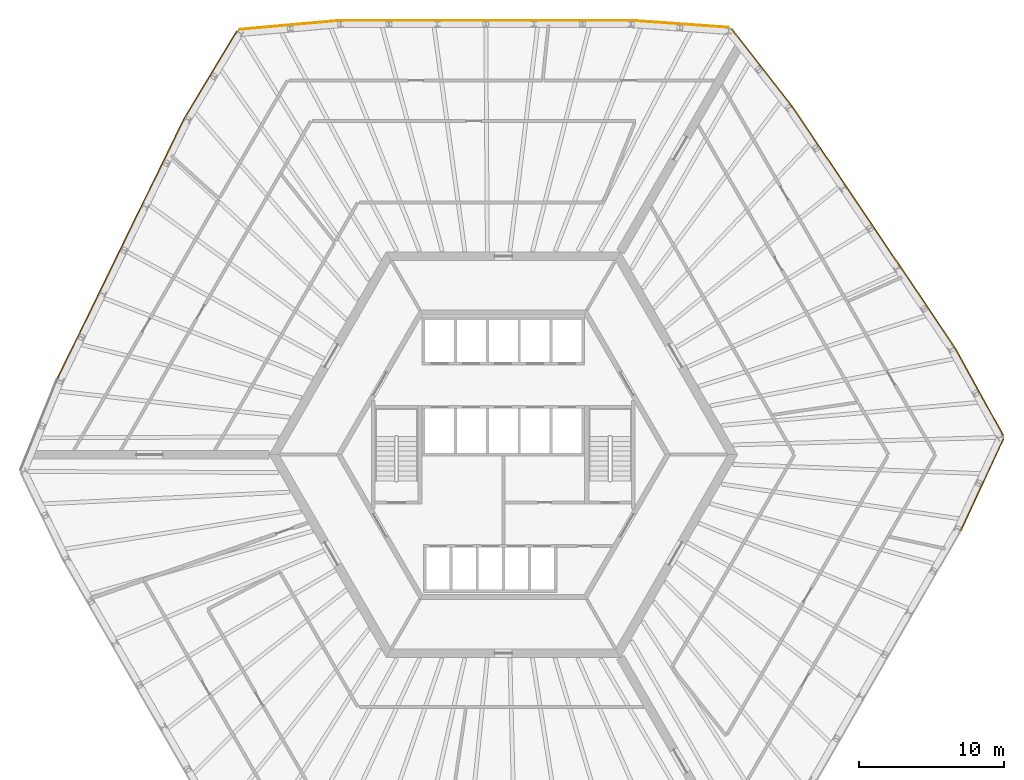
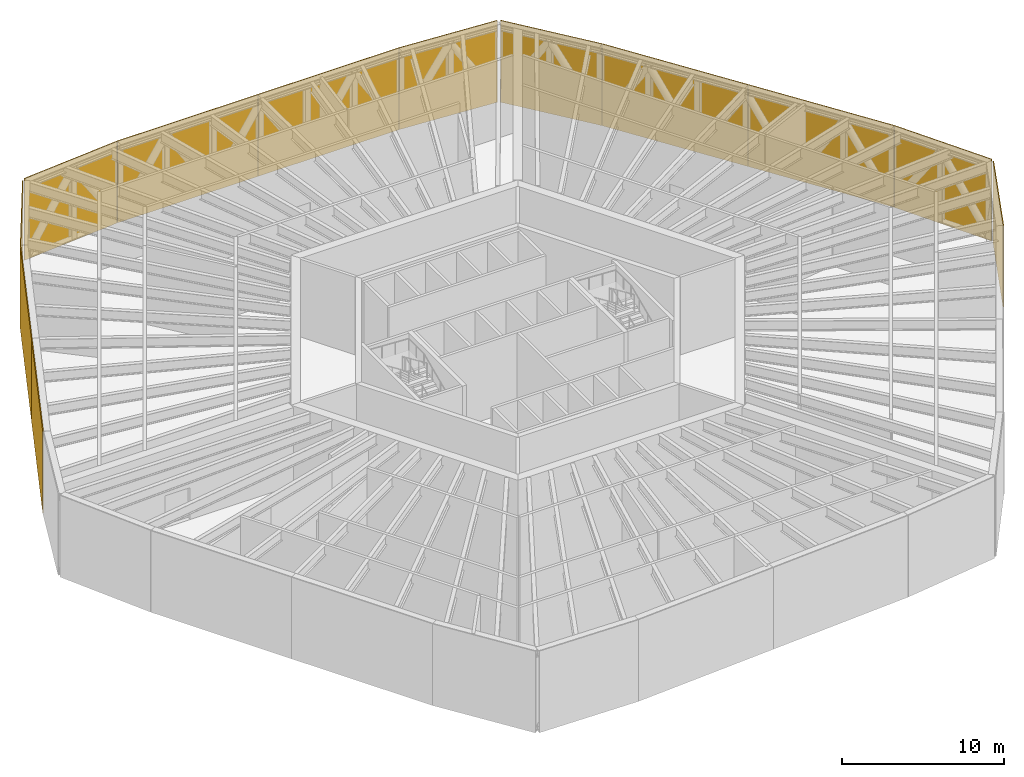
# One storey, part 11 of 11: 12 shading devices.
"""IFC4 building model written with IfcOpenShell, lengths in metres."""

import ifcopenshell
import ifcopenshell.guid

model = None  # the IFC model being written
_history = None  # IfcOwnerHistory: only IFC2X3 demands one
_inside = {}  # id of a spatial element -> (the spatial element, [elements in it])
_under = {}  # id of a project, library or spatial element -> (it, [spatial elements below it])
_declared = {}  # id of a project -> (the project, [libraries it declares])
_typed = {}  # id of a type object -> (the type object, [elements of that type])
_made_of = {}  # id of a material, layer set ... -> (it, [elements and type objects made of it])


def new_model(schema):
    """Start an empty IFC model of exactly this schema.

    Asked for "IFC4X3", IfcOpenShell would pick the latest addendum, in which some entities
    have other attributes; the version numbers below select the first issue.
    IFC2X3 requires an IfcOwnerHistory on every rooted entity: one is made here for all.
    """
    global model, _history
    if schema == "IFC4X3":
        model = ifcopenshell.file(schema_version=(4, 3, 0, 0))
    else:
        model = ifcopenshell.file(schema=schema)
    _inside.clear()
    _under.clear()
    _declared.clear()
    _typed.clear()
    _made_of.clear()
    _history = None
    if model.schema == "IFC2X3":
        org = make("IfcOrganization", Name="unknown")
        user = make(
            "IfcPersonAndOrganization",
            ThePerson=make("IfcPerson", FamilyName="unknown"),
            TheOrganization=org,
        )
        app = make(
            "IfcApplication",
            ApplicationDeveloper=org,
            Version="unknown",
            ApplicationFullName="unknown",
            ApplicationIdentifier="unknown",
        )
        _history = make(
            "IfcOwnerHistory",
            OwningUser=user,
            OwningApplication=app,
            ChangeAction="ADDED",
            CreationDate=0,
        )
    return model


def make(cls, **values):
    """One entity of the class cls with the attributes given. An attribute that is None is left unset."""
    return model.create_entity(
        cls, **{name: value for name, value in values.items() if value is not None}
    )


def rooted(cls, **values):
    """An entity with a GlobalId (a new one), such as an element, a storey or a relation."""
    return make(cls, GlobalId=ifcopenshell.guid.new(), OwnerHistory=_history, **values)


def si_unit(unit_type, name, prefix=None):
    """IfcSIUnit, for example si_unit("LENGTHUNIT", "METRE", prefix="MILLI")."""
    return make("IfcSIUnit", UnitType=unit_type, Prefix=prefix, Name=name)


def assignment(units):
    """IfcUnitAssignment: the units of a project."""
    return None if units is None else make("IfcUnitAssignment", Units=units)


def point(xyz):
    """IfcCartesianPoint."""
    return None if xyz is None else make("IfcCartesianPoint", Coordinates=xyz)


def direction(xyz):
    """IfcDirection."""
    return None if xyz is None else make("IfcDirection", DirectionRatios=xyz)


def frame(location, z_axis=None, x_axis=None):
    """IfcAxis2Placement3D, a coordinate frame: its origin and axes. An axis left out is left unset."""
    return make(
        "IfcAxis2Placement3D",
        Location=point(location),
        Axis=direction(z_axis),
        RefDirection=direction(x_axis),
    )


def origin():
    """The frame at (0, 0, 0) with its axes left unset."""
    return frame((0.0, 0.0, 0.0))


def place(relative_to, where):
    """IfcLocalPlacement: puts the frame where relative to a parent placement (None: the world)."""
    return make(
        "IfcLocalPlacement", PlacementRelTo=relative_to, RelativePlacement=where
    )


def context(
    kind, dimensions, precision=None, world=None, true_north=None, identifier=None
):
    """IfcGeometricRepresentationContext, for example the 3D "Model" context."""
    return make(
        "IfcGeometricRepresentationContext",
        ContextIdentifier=identifier,
        ContextType=kind,
        CoordinateSpaceDimension=dimensions,
        Precision=precision,
        WorldCoordinateSystem=world,
        TrueNorth=true_north,
    )


def subcontext(parent, identifier, kind, view, scale=None):
    """IfcGeometricRepresentationSubContext, for example "Body" below "Model"."""
    return make(
        "IfcGeometricRepresentationSubContext",
        ContextIdentifier=identifier,
        ContextType=kind,
        ParentContext=parent,
        TargetScale=scale,
        TargetView=view,
    )


def project(units=None, contexts=None):
    """IfcProject with its units and contexts."""
    return rooted(
        "IfcProject",
        Name="project",
        RepresentationContexts=contexts,
        UnitsInContext=assignment(units),
    )


def spatial(cls, under=None, at=None, **own):
    """A site, building, storey or space (cls), placed at a placement, below another one or the project."""
    s = rooted(cls, ObjectPlacement=at, **own)
    if under is not None:
        _under.setdefault(under.id(), (under, []))[1].append(s)
    return s


def polyline(points):
    """IfcPolyline through the points."""
    return make("IfcPolyline", Points=[point(p) for p in points])


def outline(outer, holes=None, kind="AREA"):
    """IfcArbitraryClosedProfileDef: a profile drawn as a closed curve; with holes, ...WithVoids."""
    if holes is None:
        return make("IfcArbitraryClosedProfileDef", ProfileType=kind, OuterCurve=outer)
    return make(
        "IfcArbitraryProfileDefWithVoids",
        ProfileType=kind,
        OuterCurve=outer,
        InnerCurves=holes,
    )


def extrude(swept, where, along, depth):
    """IfcExtrudedAreaSolid: the profile swept, set in the frame where, extruded along a direction by depth."""
    return make(
        "IfcExtrudedAreaSolid",
        SweptArea=swept,
        Position=where,
        ExtrudedDirection=direction(along),
        Depth=depth,
    )


def shape(context_of_items, identifier, shape_type, items):
    """IfcShapeRepresentation: the items that make up one representation, for example the "Body"."""
    return make(
        "IfcShapeRepresentation",
        ContextOfItems=context_of_items,
        RepresentationIdentifier=identifier,
        RepresentationType=shape_type,
        Items=items,
    )


def material(Name=None, Category=None):
    """IfcMaterial."""
    return make("IfcMaterial", Name=Name, Category=Category)


def made_of(thing, what):
    """Note that an element or type object is made of a material, layer set ...; save() writes the relation."""
    if what is not None:
        _made_of.setdefault(what.id(), (what, []))[1].append(thing)
    return thing


def type_object(cls, material=None, **own):
    """A type object (cls), such as IfcWallType, which elements share."""
    return made_of(rooted(cls, **own), material)


def element(
    cls,
    number,
    at=None,
    inside=None,
    cuts=None,
    type_object=None,
    material=None,
    context=None,
    identifier="Body",
    shape_type=None,
    held_by="IfcProductDefinitionShape",
    body=None,
    shapes=None,
    **own,
):
    """One element of the class cls, such as IfcWall. Its Tag is "e" and its number.

    at: its placement. inside: the storey or other place that contains it. cuts: it is an
    opening in that element (IfcRelVoidsElement). A single representation is given by context,
    identifier, shape_type and body (its items); several are given by shapes. held_by: the class
    of the entity that holds the representations. save() writes the other relations.
    """
    e = rooted(cls, Tag="e%d" % number, ObjectPlacement=at, **own)
    if body is not None:
        shapes = [shape(context, identifier, shape_type, body)]
    if shapes is not None:
        e.Representation = make(held_by, Representations=shapes)
    if inside is not None:
        _inside.setdefault(inside.id(), (inside, []))[1].append(e)
    if cuts is not None:
        rooted(
            "IfcRelVoidsElement", RelatingBuildingElement=cuts, RelatedOpeningElement=e
        )
    if type_object is not None:
        _typed.setdefault(type_object.id(), (type_object, []))[1].append(e)
    return made_of(e, material)


def aggregate(whole, parts):
    """IfcRelAggregates: a whole, such as a stair, and the parts it consists of."""
    return rooted("IfcRelAggregates", RelatingObject=whole, RelatedObjects=parts)


def save(model, path):
    """Write the relations noted so far, then the file.

    IfcRelAggregates (storeys below a building ...), IfcRelContainedInSpatialStructure (elements
    in a storey), IfcRelDefinesByType, IfcRelAssociatesMaterial and IfcRelDeclares: one each for
    every whole, place, type object, material and project.
    """
    for whole, parts in _under.values():
        aggregate(whole, parts)
    for where, things in _inside.values():
        rooted(
            "IfcRelContainedInSpatialStructure",
            RelatedElements=things,
            RelatingStructure=where,
        )
    for kind, things in _typed.values():
        rooted("IfcRelDefinesByType", RelatedObjects=things, RelatingType=kind)
    for what, things in _made_of.values():
        rooted("IfcRelAssociatesMaterial", RelatedObjects=things, RelatingMaterial=what)
    for by, libraries in _declared.values():
        rooted("IfcRelDeclares", RelatingContext=by, RelatedDefinitions=libraries)
    model.write(path)


model = new_model("IFC4")

# Units and contexts
model_context = context("Model", 3, precision=1e-05, world=origin(), true_north=direction((0.0, 1.0)))
body_context = subcontext(model_context, "Body", "Model", "MODEL_VIEW")
ifc_project = project(units=[si_unit("LENGTHUNIT", "METRE"), si_unit("AREAUNIT", "SQUARE_METRE"), si_unit("VOLUMEUNIT", "CUBIC_METRE"), si_unit("PLANEANGLEUNIT", "RADIAN"), si_unit("MASSUNIT", "GRAM", prefix="KILO")], contexts=[model_context])

# Site, building, storey
site_placement = place(None, origin())
site = spatial("IfcSite", under=ifc_project, at=site_placement, CompositionType="ELEMENT")
building_placement = place(site_placement, origin())
building = spatial("IfcBuilding", under=site, at=building_placement, Name="Tarnside Tower", CompositionType="ELEMENT")
storey_placement = place(building_placement, frame((0.0, 0.0, 31.5)))
storey = spatial("IfcBuildingStorey", under=building, at=storey_placement, Name="L05", CompositionType="ELEMENT", Elevation=31.5)

# Shading devices
ifc_material = material(Name="Aluminium alloy 6063 louvre", Category="aluminium")
shading_device_type = type_object("IfcShadingDeviceType", Name="Louvre panel 63", PredefinedType="USERDEFINED", material=ifc_material)
for number, where, z_axis, x_axis, name in (
    (1, (3.80078125, 29.93701171875, -0.300048828125), (1.0, 0.0, 0.0), (0.0, 1.0, 0.0), "Louvre L05 001"),
    (2, (-6.222900390625, 29.93701171875, -0.300048828125), (1.0, 0.0, 0.0), (0.0, 1.0, 0.0), "Louvre L05 002"),
):
    element("IfcShadingDevice", number, at=place(storey_placement, frame(where, z_axis=z_axis, x_axis=x_axis)), inside=storey, type_object=shading_device_type, Name=name, ObjectType="LOUVRE", PredefinedType="USERDEFINED", context=body_context, shape_type="SweptSolid", body=[
        extrude(outline(polyline([(0.0, 0.0), (0.06298828125, 0.0), (0.06298828125, 6.150146484375), (0.0, 6.150146484375), (0.0, 0.0)])), frame((0.0, 0.0, -5.01171875)), (0.0, 0.0, 1.0), 10.023681640625),
    ])
shading_device_1_placement = place(storey_placement, frame((-14.7294921875, 29.6259765625, -0.300048828125), z_axis=(0.996038702469, 0.088920769141, 0.0), x_axis=(-0.088920769141, 0.996038702469, 0.0)))
element("IfcShadingDevice", 3, at=shading_device_1_placement, inside=storey, type_object=shading_device_type, Name="Louvre L05 003", ObjectType="LOUVRE", PredefinedType="USERDEFINED", context=body_context, shape_type="SweptSolid", body=[
    extrude(outline(polyline([(0.0, 0.0), (0.06298828125, 0.0), (0.06298828125, 6.150146484375), (0.0, 6.150146484375), (0.0, 0.0)])), frame((0.0, 0.0, -3.48974609375)), (0.0, 0.0, 1.0), 6.979248046875),
])
shading_device_2_placement = place(storey_placement, frame((-20.170654296875, 26.225830078125, -0.300048828125), z_axis=(0.516563373303, 0.856248959919, 0.0), x_axis=(-0.856248959919, 0.516563373303, 0.0)))
element("IfcShadingDevice", 4, at=shading_device_2_placement, inside=storey, type_object=shading_device_type, Name="Louvre L05 004", ObjectType="LOUVRE", PredefinedType="USERDEFINED", context=body_context, shape_type="SweptSolid", body=[
    extrude(outline(polyline([(0.0, 0.0), (0.06298828125, 0.0), (0.06298828125, 6.150146484375), (0.0, 6.150146484375), (0.0, 0.0)])), frame((0.0, 0.0, -3.48974609375)), (0.0, 0.0, 1.0), 6.9794921875),
])
for number, where, z_axis, x_axis, name in (
    (5, (-24.17919921875, 18.716552734375, -0.300048828125), (0.438372723418, 0.898793277324, 0.0), (-0.898793277324, 0.438372723418, 0.0), "Louvre L05 005"),
    (6, (-28.5732421875, 9.70751953125, -0.300048828125), (0.438364664144, 0.898797208067, 0.0), (-0.898797208067, 0.438364664144, 0.0), "Louvre L05 006"),
):
    element("IfcShadingDevice", number, at=place(storey_placement, frame(where, z_axis=z_axis, x_axis=x_axis)), inside=storey, type_object=shading_device_type, Name=name, ObjectType="LOUVRE", PredefinedType="USERDEFINED", context=body_context, shape_type="SweptSolid", body=[
        extrude(outline(polyline([(0.0, 0.0), (0.06298828125, 0.0), (0.06298828125, 6.150146484375), (0.0, 6.150146484375), (0.0, 0.0)])), frame((0.0, 0.0, -5.01171875)), (0.0, 0.0, 1.0), 10.023681640625),
    ])
shading_device_3_placement = place(storey_placement, frame((33.021484375, -2.056884765625, -0.300048828125), z_axis=(-0.42101616452, -0.907053134724, 0.0), x_axis=(0.907053134724, -0.42101616452, 0.0)))
element("IfcShadingDevice", 7, at=shading_device_3_placement, inside=storey, type_object=shading_device_type, Name="Louvre L05 019", ObjectType="LOUVRE", PredefinedType="USERDEFINED", context=body_context, shape_type="SweptSolid", body=[
    extrude(outline(polyline([(0.0, 0.0), (0.06298828125, 0.0), (0.06298828125, 6.150146484375), (0.0, 6.150146484375), (0.0, 0.0)])), frame((0.0, 0.0, -3.48974609375)), (0.0, 0.0, 1.0), 6.979248046875),
])
shading_device_4_placement = place(storey_placement, frame((32.797607421875, 4.355224609375, -0.300048828125), z_axis=(0.483264064179, -0.875474639423, 0.0), x_axis=(0.875474639423, 0.483264064179, 0.0)))
element("IfcShadingDevice", 8, at=shading_device_4_placement, inside=storey, type_object=shading_device_type, Name="Louvre L05 020", ObjectType="LOUVRE", PredefinedType="USERDEFINED", context=body_context, shape_type="SweptSolid", body=[
    extrude(outline(polyline([(0.0, 0.0), (0.06298828125, 0.0), (0.06298828125, 6.150146484375), (0.0, 6.150146484375), (0.0, 0.0)])), frame((0.0, 0.0, -3.48974609375)), (0.0, 0.0, 1.0), 6.9794921875),
])
for number, where, z_axis, x_axis, name in (
    (9, (28.298828125, 11.58154296875, -0.300048828125), (0.559188393383, -0.82904061463, 0.0), (0.82904061463, 0.559188393383, 0.0), "Louvre L05 021"),
    (10, (22.693603515625, 19.8916015625, -0.300048828125), (0.559195250208, -0.829035989656, 0.0), (0.829035989656, 0.559195250208, 0.0), "Louvre L05 022"),
):
    element("IfcShadingDevice", number, at=place(storey_placement, frame(where, z_axis=z_axis, x_axis=x_axis)), inside=storey, type_object=shading_device_type, Name=name, ObjectType="LOUVRE", PredefinedType="USERDEFINED", context=body_context, shape_type="SweptSolid", body=[
        extrude(outline(polyline([(0.0, 0.0), (0.06298828125, 0.0), (0.06298828125, 6.150146484375), (0.0, 6.150146484375), (0.0, 0.0)])), frame((0.0, 0.0, -5.01171875)), (0.0, 0.0, 1.0), 10.023681640625),
    ])
shading_device_5_placement = place(storey_placement, frame((17.799560546875, 26.717529296875, -0.300048828125), z_axis=(0.616643930767, -0.787242188051, 0.0), x_axis=(0.787242188051, 0.616643930767, 0.0)))
element("IfcShadingDevice", 11, at=shading_device_5_placement, inside=storey, type_object=shading_device_type, Name="Louvre L05 023", ObjectType="LOUVRE", PredefinedType="USERDEFINED", context=body_context, shape_type="SweptSolid", body=[
    extrude(outline(polyline([(0.0, 0.0), (0.06298828125, 0.0), (0.06298828125, 6.150146484375), (0.0, 6.150146484375), (0.0, 0.0)])), frame((0.0, 0.0, -3.377197265625)), (0.0, 0.0, 1.0), 6.75439453125),
])
shading_device_6_placement = place(storey_placement, frame((12.1962890625, 29.69677734375, -0.300048828125), z_axis=(0.997476030211, -0.071004008023, 0.0), x_axis=(0.071004008023, 0.997476030211, 0.0)))
element("IfcShadingDevice", 12, at=shading_device_6_placement, inside=storey, type_object=shading_device_type, Name="Louvre L05 024", ObjectType="LOUVRE", PredefinedType="USERDEFINED", context=body_context, shape_type="SweptSolid", body=[
    extrude(outline(polyline([(0.0, 0.0), (0.06298828125, 0.0), (0.06298828125, 6.150146484375), (0.0, 6.150146484375), (0.0, 0.0)])), frame((0.0, 0.0, -3.37744140625)), (0.0, 0.0, 1.0), 6.754638671875),
])

save(model, "model.ifc")
